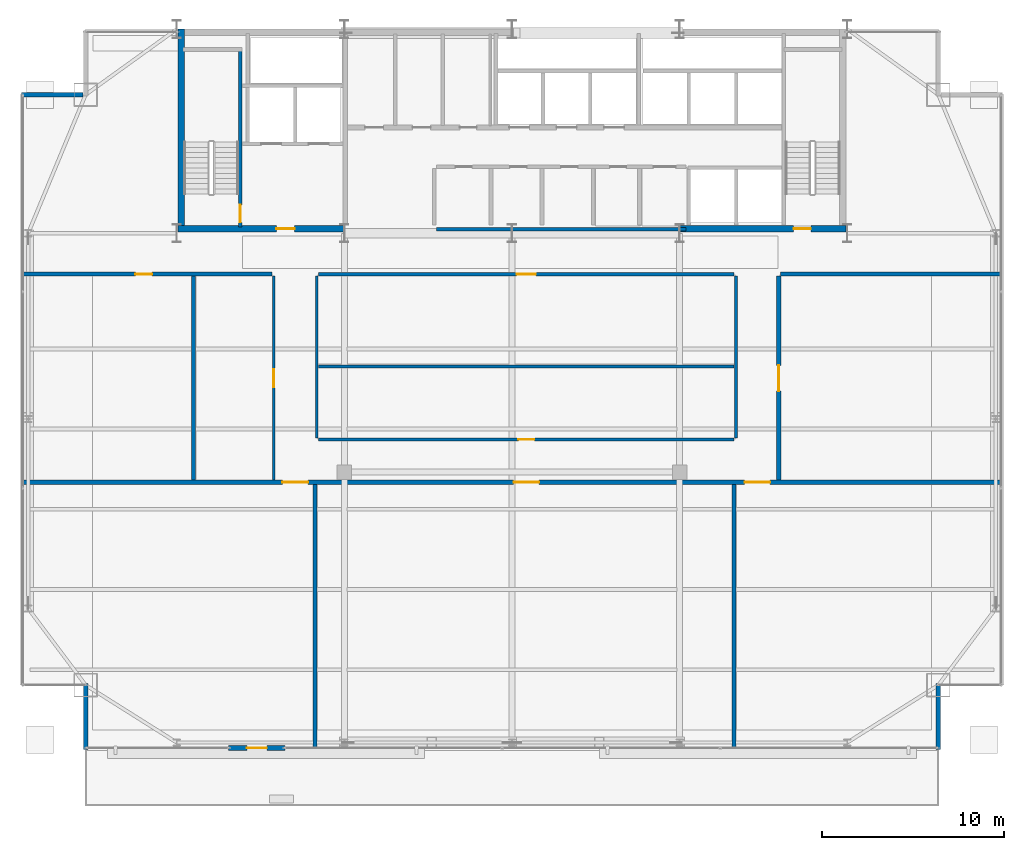
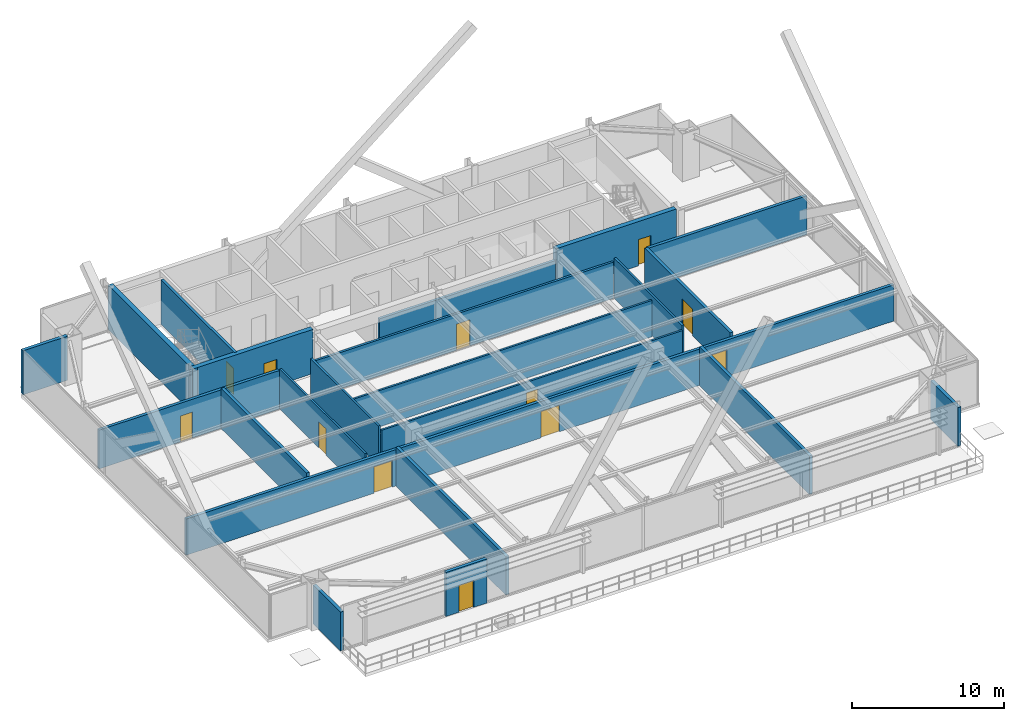
# One storey, part 29 of 33: 22 walls, 12 doors, 12 openings.
"""IFC4 building model written with IfcOpenShell, lengths in metres."""

from ifc_helpers import new_model, si_unit, direction, frame, frame_2d, origin, place, context, subcontext, project, spatial, rectangle, extrude, source, transform, mapped, material, layer, layer_set, type_object, type_shapes, element, fill, save


model = new_model("IFC4")

# Units and contexts
model_context = context("Model", 3, precision=1e-05, world=origin(), true_north=direction((0.0, 1.0)))
body_context = subcontext(model_context, "Body", "Model", "MODEL_VIEW")
ifc_project = project(units=[si_unit("LENGTHUNIT", "METRE"), si_unit("AREAUNIT", "SQUARE_METRE"), si_unit("VOLUMEUNIT", "CUBIC_METRE"), si_unit("PLANEANGLEUNIT", "RADIAN"), si_unit("MASSUNIT", "GRAM", prefix="KILO")], contexts=[model_context])

# Site, building, storey
site_placement = place(None, origin())
site = spatial("IfcSite", under=ifc_project, at=site_placement, CompositionType="ELEMENT")
building_placement = place(site_placement, origin())
building = spatial("IfcBuilding", under=site, at=building_placement, Name="Varnel Quay Broadcast Tower", CompositionType="ELEMENT")
storey_placement = place(building_placement, frame((0.0, 0.0, 145.800048828125)))
storey = spatial("IfcBuildingStorey", under=building, at=storey_placement, Name="L35", CompositionType="ELEMENT", Elevation=145.800048828125)

# Wall, opening, door
ifc_material_1 = material(Name="Concrete CSA A23.3 C50/60", Category="concrete")
ifc_layer_1 = layer(ifc_material_1, 0.199951171875, Name="Concrete CSA A23.3 C50/60")
ifc_layer_set_1 = layer_set([ifc_layer_1], Name="Concrete CSA A23.3 C50/60")
wall_type_1 = type_object("IfcWallType", Name="Wall_CoreShaftShear200", PredefinedType="SHEAR", material=ifc_layer_set_1)
wall_1_placement = place(storey_placement, frame((19.080078125, 35.949951171875, 0.0), z_axis=(0.0, 0.0, 1.0), x_axis=(0.0, 1.0, 0.0)))
wall_1 = element("IfcWall", 1, at=wall_1_placement, inside=storey, type_object=wall_type_1, Name="L35 Stair 1 East Structural Wall", PredefinedType="SHEAR", context=body_context, shape_type="SweptSolid", body=[
    extrude(rectangle(XDim=9.650146484375, YDim=0.199951171875, at=frame_2d((4.8251953125, 0.0))), origin(), (0.0, 0.0, 1.0), 3.550048828125),
])
opening_1_placement = place(wall_1_placement, frame((0.25, 0.0, 0.0)))
opening_1 = element("IfcOpeningElement", 2, at=opening_1_placement, cuts=wall_1, Name="Opening D-L35-S1", PredefinedType="OPENING", context=body_context, shape_type="SweptSolid", body=[
    extrude(rectangle(XDim=0.949951171875, YDim=2.10009765625, at=frame_2d((0.47509765625, 1.050048828125))), frame((0.0, 0.10986328125, 0.0), z_axis=(0.0, -1.0, 0.0), x_axis=(1.0, 0.0, 0.0)), (0.0, 0.0, 1.0), 0.219970703125),
])
ifc_material_2 = material(Name="Insulated Fire-Rated Hollow Steel Door", Category="steel")
door_type_1 = type_object("IfcDoorType", Name="Door_FireStair950", OperationType="NOTDEFINED", PredefinedType="DOOR", material=ifc_material_2)
shared_shape_1 = source(origin(), body_context, "Body", "SweptSolid", [
    extrude(rectangle(XDim=0.949951171875, YDim=2.10009765625, at=frame_2d((0.47509765625, 1.050048828125))), frame((0.0, 0.02490234375, 0.0), z_axis=(0.0, -1.0, 0.0), x_axis=(1.0, 0.0, 0.0)), (0.0, 0.0, 1.0), 0.050048828125),
])
type_shapes(door_type_1, [shared_shape_1])
door_1_placement = place(opening_1_placement, origin())
door_1 = element("IfcDoor", 3, at=door_1_placement, inside=storey, type_object=door_type_1, Name="L35 Stair 1 Fire Door", OperationType="SINGLE_SWING_RIGHT", OverallHeight=2.10009765625, OverallWidth=0.949951171875, PredefinedType="DOOR", context=body_context, shape_type="MappedRepresentation", body=[
    mapped(shared_shape_1, transform((0.0, 0.0, 0.0), x_axis=(1.0, 0.0, 0.0), y_axis=(0.0, 1.0, 0.0), z_axis=(0.0, 0.0, 1.0), scale=1.0)),
])
fill(opening_1, door_1)

# Wall
ifc_layer_2 = layer(ifc_material_1, 0.35009765625, Name="Concrete CSA A23.3 C50/60")
ifc_layer_set_2 = layer_set([ifc_layer_2], Name="Concrete CSA A23.3 C50/60")
wall_type_2 = type_object("IfcWallType", Name="Wall_CoreShearInt350", PredefinedType="SHEAR", material=ifc_layer_set_2)
wall_2_placement = place(storey_placement, frame((15.844970703125, 35.669921875, 0.0), z_axis=(0.0, 0.0, 1.0), x_axis=(0.0, 1.0, 0.0)))
element("IfcWall", 4, at=wall_2_placement, inside=storey, type_object=wall_type_2, Name="L35 West Core Shear Wall", PredefinedType="SHEAR", context=body_context, shape_type="SweptSolid", body=[
    extrude(rectangle(XDim=11.130126953125, YDim=0.35009765625, at=frame_2d((5.56494140625, 0.0))), origin(), (0.0, 0.0, 1.0), 3.550048828125),
])

# Wall, opening, door
wall_3_placement = place(storey_placement, frame((15.669921875, 35.844970703125, 0.0), z_axis=(0.0, 0.0, 1.0), x_axis=(1.0, 0.0, 0.0)))
wall_3 = element("IfcWall", 5, at=wall_3_placement, inside=storey, type_object=wall_type_2, Name="L35 South-West Core Shear Wall", PredefinedType="SHEAR", context=body_context, shape_type="SweptSolid", body=[
    extrude(rectangle(XDim=9.130126953125, YDim=0.35009765625, at=frame_2d((4.56494140625, 0.0))), origin(), (0.0, 0.0, 1.0), 3.550048828125),
])
opening_2_placement = place(wall_3_placement, frame((5.39990234375, 0.0, 0.0)))
opening_2 = element("IfcOpeningElement", 6, at=opening_2_placement, cuts=wall_3, Name="Opening D-L35-FFL", PredefinedType="OPENING", context=body_context, shape_type="SweptSolid", body=[
    extrude(rectangle(XDim=1.0, YDim=2.10009765625, at=frame_2d((0.5, 1.050048828125))), frame((0.0, 0.18505859375, 0.0), z_axis=(0.0, -1.0, 0.0), x_axis=(1.0, 0.0, 0.0)), (0.0, 0.0, 1.0), 0.3701171875),
])
door_type_2 = type_object("IfcDoorType", Name="Door_FireLobby1000", OperationType="NOTDEFINED", PredefinedType="DOOR", material=ifc_material_2)
shared_shape_2 = source(origin(), body_context, "Body", "SweptSolid", [
    extrude(rectangle(XDim=1.0, YDim=2.10009765625, at=frame_2d((0.5, 1.050048828125))), frame((0.0, 0.02490234375, 0.0), z_axis=(0.0, -1.0, 0.0), x_axis=(1.0, 0.0, 0.0)), (0.0, 0.0, 1.0), 0.050048828125),
])
type_shapes(door_type_2, [shared_shape_2])
door_2_placement = place(opening_2_placement, origin())
door_2 = element("IfcDoor", 7, at=door_2_placement, inside=storey, type_object=door_type_2, Name="L35 Firefighting Lobby Door", OperationType="SINGLE_SWING_LEFT", OverallHeight=2.10009765625, OverallWidth=1.0, PredefinedType="DOOR", context=body_context, shape_type="MappedRepresentation", body=[
    mapped(shared_shape_2, transform((0.0, 0.0, 0.0), x_axis=(1.0, 0.0, 0.0), y_axis=(0.0, 1.0, 0.0), z_axis=(0.0, 0.0, 1.0), scale=1.0)),
])
fill(opening_2, door_2)

wall_4_placement = place(storey_placement, frame((43.199951171875, 35.844970703125, 0.0), z_axis=(0.0, 0.0, 1.0), x_axis=(1.0, 0.0, 0.0)))
wall_4 = element("IfcWall", 8, at=wall_4_placement, inside=storey, type_object=wall_type_2, Name="L35 South-East Core Shear Wall", PredefinedType="SHEAR", context=body_context, shape_type="SweptSolid", body=[
    extrude(rectangle(XDim=9.130126953125, YDim=0.35009765625, at=frame_2d((4.56494140625, 0.0))), origin(), (0.0, 0.0, 1.0), 3.550048828125),
])
opening_3_placement = place(wall_4_placement, frame((6.25, 0.0, 0.0)))
opening_3 = element("IfcOpeningElement", 9, at=opening_3_placement, cuts=wall_4, Name="Opening D-L35-S2", PredefinedType="OPENING", context=body_context, shape_type="SweptSolid", body=[
    extrude(rectangle(XDim=0.949951171875, YDim=2.10009765625, at=frame_2d((0.47509765625, 1.050048828125))), frame((0.0, 0.18505859375, 0.0), z_axis=(0.0, -1.0, 0.0), x_axis=(1.0, 0.0, 0.0)), (0.0, 0.0, 1.0), 0.3701171875),
])
door_3_placement = place(opening_3_placement, origin())
door_3 = element("IfcDoor", 10, at=door_3_placement, inside=storey, type_object=door_type_1, Name="L35 Stair 2 Fire Door", OperationType="SINGLE_SWING_RIGHT", OverallHeight=2.10009765625, OverallWidth=0.949951171875, PredefinedType="DOOR", context=body_context, shape_type="MappedRepresentation", body=[
    mapped(shared_shape_1, transform((0.0, 0.0, 0.0), x_axis=(1.0, 0.0, 0.0), y_axis=(0.0, 1.0, 0.0), z_axis=(0.0, 0.0, 1.0), scale=1.0)),
])
fill(opening_3, door_3)

ifc_material_3 = material(Name="Precast Architectural Concrete C40/50", Category="concrete")
ifc_layer_3 = layer(ifc_material_3, 0.25, Name="Precast Architectural Concrete C40/50")
ifc_layer_set_3 = layer_set([ifc_layer_3], Name="Precast Architectural Concrete C40/50")
wall_type_3 = type_object("IfcWallType", Name="Wall_ExtTerrace250", PredefinedType="SOLIDWALL", material=ifc_layer_set_3)
wall_5_placement = place(storey_placement, frame((18.449951171875, 7.35009765625, 0.0), z_axis=(0.0, 0.0, 1.0), x_axis=(1.0, 0.0, 0.0)))
wall_5 = element("IfcWall", 11, at=wall_5_placement, inside=storey, type_object=wall_type_3, Name="L35 Terrace Access Wall 1", PredefinedType="SOLIDWALL", context=body_context, shape_type="SweptSolid", body=[
    extrude(rectangle(XDim=3.10009765625, YDim=0.25, at=frame_2d((1.550048828125, 0.0))), origin(), (0.0, 0.0, 1.0), 3.530029296875),
])
opening_4_placement = place(wall_5_placement, frame((1.0, 0.0, 0.0)))
opening_4 = element("IfcOpeningElement", 12, at=opening_4_placement, cuts=wall_5, Name="Opening TD-351", PredefinedType="OPENING", context=body_context, shape_type="SweptSolid", body=[
    extrude(rectangle(XDim=1.10009765625, YDim=2.14990234375, at=frame_2d((0.550048828125, 1.074951171875))), frame((0.0, 0.135009765625, 0.0), z_axis=(0.0, -1.0, 0.0), x_axis=(1.0, 0.0, 0.0)), (0.0, 0.0, 1.0), 0.27001953125),
])
ifc_material_4 = material(Name="Anodised Bronze Aluminium 6063-T6", Category="aluminium")
door_type_3 = type_object("IfcDoorType", Name="Door_ExtTerrace1100", OperationType="NOTDEFINED", PredefinedType="DOOR", material=ifc_material_4)
shared_shape_3 = source(origin(), body_context, "Body", "SweptSolid", [
    extrude(rectangle(XDim=1.10009765625, YDim=2.14990234375, at=frame_2d((0.550048828125, 1.074951171875))), frame((0.0, 0.02490234375, 0.0), z_axis=(0.0, -1.0, 0.0), x_axis=(1.0, 0.0, 0.0)), (0.0, 0.0, 1.0), 0.050048828125),
])
type_shapes(door_type_3, [shared_shape_3])
door_4_placement = place(opening_4_placement, frame((1.10009765625, 0.0, 0.0), z_axis=(0.0, 0.0, 1.0), x_axis=(-1.0, 0.0, 0.0)))
door_4 = element("IfcDoor", 13, at=door_4_placement, inside=storey, type_object=door_type_3, Name="L35 Terrace Door TD-351", OperationType="SINGLE_SWING_LEFT", OverallHeight=2.14990234375, OverallWidth=1.10009765625, PredefinedType="DOOR", context=body_context, shape_type="MappedRepresentation", body=[
    mapped(shared_shape_3, transform((0.0, 0.0, 0.0), x_axis=(1.0, 0.0, 0.0), y_axis=(0.0, 1.0, 0.0), z_axis=(0.0, 0.0, 1.0), scale=1.0)),
])
fill(opening_4, door_4)

# Walls
for number, where, z_axis, x_axis, name in (
    (14, (10.60009765625, 7.280029296875, 0.0), (0.0, 0.0, 1.0), (0.0, 1.0, 0.0), "L35 Mega-Column Notch Cladding Wall NSW2"),
    (15, (57.39990234375, 7.280029296875, 0.0), (0.0, 0.0, 1.0), (0.0, 1.0, 0.0), "L35 Mega-Column Notch Cladding Wall NSE2"),
):
    element("IfcWall", number, at=place(storey_placement, frame(where, z_axis=z_axis, x_axis=x_axis)), inside=storey, type_object=wall_type_3, Name=name, PredefinedType="SOLIDWALL", context=body_context, shape_type="SweptSolid", body=[
        extrude(rectangle(XDim=3.599853515625, YDim=0.25, at=frame_2d((1.7998046875, 0.0))), origin(), (0.0, 0.0, 1.0), 3.10791015625),
    ])
wall_6_placement = place(storey_placement, frame((7.080078125, 43.199951171875, 0.0), z_axis=(0.0, 0.0, 1.0), x_axis=(1.0, 0.0, 0.0)))
element("IfcWall", 16, at=wall_6_placement, inside=storey, type_object=wall_type_3, Name="L35 Mega-Column Notch Cladding Wall NNW1", PredefinedType="SOLIDWALL", context=body_context, shape_type="SweptSolid", body=[
    extrude(rectangle(XDim=3.389892578125, YDim=0.25, at=frame_2d((1.69482421875, 0.0))), origin(), (0.0, 0.0, 1.0), 3.530029296875),
])
ifc_material_5 = material(Name="Concrete Blockwork Fire Enclosure C40/50", Category="masonry")
ifc_layer_4 = layer(ifc_material_5, 0.199951171875, Name="Concrete Blockwork Fire Enclosure C40/50")
ifc_layer_set_4 = layer_set([ifc_layer_4], Name="Concrete Blockwork Fire Enclosure C40/50")
wall_type_4 = type_object("IfcWallType", Name="Wall_FireShaft200", PredefinedType="SOLIDWALL", material=ifc_layer_set_4)
wall_7_placement = place(storey_placement, frame((29.85009765625, 35.824951171875, 0.0), z_axis=(0.0, 0.0, 1.0), x_axis=(1.0, 0.0, 0.0)))
element("IfcWall", 17, at=wall_7_placement, inside=storey, type_object=wall_type_4, Name="L35 Accessible Washroom Partition 1", PredefinedType="SOLIDWALL", context=body_context, shape_type="SweptSolid", body=[
    extrude(rectangle(XDim=13.699951171875, YDim=0.199951171875, at=frame_2d((6.85009765625, 0.0))), origin(), (0.0, 0.0, 1.0), 2.574951171875),
])

# Wall, opening, door
ifc_material_6 = material(Name="Steel-Stud Fire-Rated Acoustic Gypsum Partition Assembly", Category="steel")
ifc_layer_5 = layer(ifc_material_6, 0.139892578125, Name="Steel-Stud Fire-Rated Acoustic Gypsum Partition Assembly")
ifc_layer_set_5 = layer_set([ifc_layer_5], Name="Steel-Stud Fire-Rated Acoustic Gypsum Partition Assembly")
wall_type_5 = type_object("IfcWallType", Name="Wall_Partition140", PredefinedType="PARTITIONING", material=ifc_layer_set_5)
wall_8_placement = place(storey_placement, frame((20.929931640625, 22.04296875, 0.0), z_axis=(0.0, 0.0, 1.0), x_axis=(0.0, 1.0, 0.0)))
wall_8 = element("IfcWall", 18, at=wall_8_placement, inside=storey, type_object=wall_type_5, Name="L35 Talent Lounge 5 Partition 13", PredefinedType="PARTITIONING", context=body_context, shape_type="SweptSolid", body=[
    extrude(rectangle(XDim=11.195068359375, YDim=0.139892578125, at=frame_2d((5.59765625, 0.0))), origin(), (0.0, 0.0, 1.0), 3.221923828125),
])
opening_5_placement = place(wall_8_placement, frame((5.097900390625, 0.0, 0.0)))
opening_5 = element("IfcOpeningElement", 19, at=opening_5_placement, cuts=wall_8, Name="Opening D-L35-10", PredefinedType="OPENING", context=body_context, shape_type="SweptSolid", body=[
    extrude(rectangle(XDim=1.0, YDim=2.10009765625, at=frame_2d((0.5, 1.050048828125))), frame((0.0, 0.080078125, 0.0), z_axis=(0.0, -1.0, 0.0), x_axis=(1.0, 0.0, 0.0)), (0.0, 0.0, 1.0), 0.159912109375),
])
ifc_material_7 = material(Name="Solid-Core Fire-Rated Acoustic Oak Veneer Door", Category="wood")
door_type_4 = type_object("IfcDoorType", Name="Door_Exec1000", OperationType="NOTDEFINED", PredefinedType="DOOR", material=ifc_material_7)
shared_shape_4 = source(origin(), body_context, "Body", "SweptSolid", [
    extrude(rectangle(XDim=1.0, YDim=2.10009765625, at=frame_2d((0.5, 1.050048828125))), frame((0.0, 0.02490234375, 0.0), z_axis=(0.0, -1.0, 0.0), x_axis=(1.0, 0.0, 0.0)), (0.0, 0.0, 1.0), 0.050048828125),
])
type_shapes(door_type_4, [shared_shape_4])
door_5_placement = place(opening_5_placement, origin())
door_5 = element("IfcDoor", 20, at=door_5_placement, inside=storey, type_object=door_type_4, Name="L35 Talent Lounge 5 Door D-L35-10", OperationType="SINGLE_SWING_RIGHT", OverallHeight=2.10009765625, OverallWidth=1.0, PredefinedType="DOOR", context=body_context, shape_type="MappedRepresentation", body=[
    mapped(shared_shape_4, transform((0.0, 0.0, 0.0), x_axis=(1.0, 0.0, 0.0), y_axis=(0.0, 1.0, 0.0), z_axis=(0.0, 0.0, 1.0), scale=1.0)),
])
fill(opening_5, door_5)

ifc_layer_6 = layer(ifc_material_6, 0.14990234375, Name="Steel-Stud Fire-Rated Acoustic Gypsum Partition Assembly")
ifc_layer_set_6 = layer_set([ifc_layer_6], Name="Steel-Stud Fire-Rated Acoustic Gypsum Partition Assembly")
wall_type_6 = type_object("IfcWallType", Name="Wall_Partition150", PredefinedType="PARTITIONING", material=ifc_layer_set_6)
wall_9_placement = place(storey_placement, frame((23.3798828125, 24.280029296875, 0.0), z_axis=(0.0, 0.0, 1.0), x_axis=(1.0, 0.0, 0.0)))
wall_9 = element("IfcWall", 21, at=wall_9_placement, inside=storey, type_object=wall_type_6, Name="L35 Pantry Niche 6 Partition 14", PredefinedType="PARTITIONING", context=body_context, shape_type="SweptSolid", body=[
    extrude(rectangle(XDim=22.81005859375, YDim=0.14990234375, at=frame_2d((11.405029296875, 0.0))), origin(), (0.0, 0.0, 1.0), 2.908935546875),
])
opening_6_placement = place(wall_9_placement, frame((10.965087890625, 0.0, 0.0)))
opening_6 = element("IfcOpeningElement", 22, at=opening_6_placement, cuts=wall_9, Name="Opening D-L35-11", PredefinedType="OPENING", context=body_context, shape_type="SweptSolid", body=[
    extrude(rectangle(XDim=0.8798828125, YDim=2.06005859375, at=frame_2d((0.43994140625, 1.030029296875))), frame((0.0, 0.0849609375, 0.0), z_axis=(0.0, -1.0, 0.0), x_axis=(1.0, 0.0, 0.0)), (0.0, 0.0, 1.0), 0.169921875),
])
door_type_5 = type_object("IfcDoorType", Name="Door_Booth880", OperationType="NOTDEFINED", PredefinedType="DOOR", material=ifc_material_7)
shared_shape_5 = source(origin(), body_context, "Body", "SweptSolid", [
    extrude(rectangle(XDim=0.8798828125, YDim=2.06005859375, at=frame_2d((0.43994140625, 1.030029296875))), frame((0.0, 0.02490234375, 0.0), z_axis=(0.0, -1.0, 0.0), x_axis=(1.0, 0.0, 0.0)), (0.0, 0.0, 1.0), 0.050048828125),
])
type_shapes(door_type_5, [shared_shape_5])
door_6_placement = place(opening_6_placement, origin())
door_6 = element("IfcDoor", 23, at=door_6_placement, inside=storey, type_object=door_type_5, Name="L35 Pantry Niche 6 Door D-L35-11", OperationType="SINGLE_SWING_LEFT", OverallHeight=2.06005859375, OverallWidth=0.8798828125, PredefinedType="DOOR", context=body_context, shape_type="MappedRepresentation", body=[
    mapped(shared_shape_5, transform((0.0, 0.0, 0.0), x_axis=(1.0, 0.0, 0.0), y_axis=(0.0, 1.0, 0.0), z_axis=(0.0, 0.0, 1.0), scale=1.0)),
])
fill(opening_6, door_6)

# Walls
wall_10_placement = place(storey_placement, frame((46.2900390625, 24.35498046875, 0.0), z_axis=(0.0, 0.0, 1.0), x_axis=(0.0, 1.0, 0.0)))
element("IfcWall", 24, at=wall_10_placement, inside=storey, type_object=wall_type_6, Name="L35 Pantry Niche 6 Partition 15", PredefinedType="PARTITIONING", context=body_context, shape_type="SweptSolid", body=[
    extrude(rectangle(XDim=8.907958984375, YDim=0.14990234375, at=frame_2d((4.4541015625, 0.0))), origin(), (0.0, 0.0, 1.0), 3.221923828125),
])
wall_11_placement = place(storey_placement, frame((23.3798828125, 28.280029296875, 0.0), z_axis=(0.0, 0.0, 1.0), x_axis=(1.0, 0.0, 0.0)))
element("IfcWall", 25, at=wall_11_placement, inside=storey, type_object=wall_type_6, Name="L35 Pantry Niche 6 Partition 16", PredefinedType="PARTITIONING", context=body_context, shape_type="SweptSolid", body=[
    extrude(rectangle(XDim=22.81005859375, YDim=0.14990234375, at=frame_2d((11.405029296875, 0.0))), origin(), (0.0, 0.0, 1.0), 2.908935546875),
])
wall_12_placement = place(storey_placement, frame((23.280029296875, 24.35498046875, 0.0), z_axis=(0.0, 0.0, 1.0), x_axis=(0.0, 1.0, 0.0)))
element("IfcWall", 26, at=wall_12_placement, inside=storey, type_object=wall_type_6, Name="L35 Pantry Niche 6 Partition 17", PredefinedType="PARTITIONING", context=body_context, shape_type="SweptSolid", body=[
    extrude(rectangle(XDim=8.907958984375, YDim=0.14990234375, at=frame_2d((4.4541015625, 0.0))), origin(), (0.0, 0.0, 1.0), 3.221923828125),
])

# Wall, opening, door
ifc_layer_7 = layer(ifc_material_6, 0.175048828125, Name="Steel-Stud Fire-Rated Acoustic Gypsum Partition Assembly")
ifc_layer_set_7 = layer_set([ifc_layer_7], Name="Steel-Stud Fire-Rated Acoustic Gypsum Partition Assembly")
wall_type_7 = type_object("IfcWallType", Name="Wall_Partition175", PredefinedType="PARTITIONING", material=ifc_layer_set_7)
wall_13_placement = place(storey_placement, frame((23.3798828125, 33.35009765625, 0.0), z_axis=(0.0, 0.0, 1.0), x_axis=(1.0, 0.0, 0.0)))
wall_13 = element("IfcWall", 27, at=wall_13_placement, inside=storey, type_object=wall_type_7, Name="L35 Broadcast Seminar Room 7 Partition 18", PredefinedType="PARTITIONING", context=body_context, shape_type="SweptSolid", body=[
    extrude(rectangle(XDim=22.81005859375, YDim=0.175048828125, at=frame_2d((11.405029296875, 0.0))), origin(), (0.0, 0.0, 1.0), 2.908935546875),
])
opening_7_placement = place(wall_13_placement, frame((10.8798828125, 0.0, 0.0)))
opening_7 = element("IfcOpeningElement", 28, at=opening_7_placement, cuts=wall_13, Name="Opening D-L35-12", PredefinedType="OPENING", context=body_context, shape_type="SweptSolid", body=[
    extrude(rectangle(XDim=1.050048828125, YDim=2.10009765625, at=frame_2d((0.52490234375, 1.050048828125))), frame((0.0, 0.09765625, 0.0), z_axis=(0.0, -1.0, 0.0), x_axis=(1.0, 0.0, 0.0)), (0.0, 0.0, 1.0), 0.195068359375),
])
door_type_6 = type_object("IfcDoorType", Name="Door_Meeting1050", OperationType="NOTDEFINED", PredefinedType="DOOR", material=ifc_material_7)
shared_shape_6 = source(origin(), body_context, "Body", "SweptSolid", [
    extrude(rectangle(XDim=1.050048828125, YDim=2.10009765625, at=frame_2d((0.52490234375, 1.050048828125))), frame((0.0, 0.02490234375, 0.0), z_axis=(0.0, -1.0, 0.0), x_axis=(1.0, 0.0, 0.0)), (0.0, 0.0, 1.0), 0.050048828125),
])
type_shapes(door_type_6, [shared_shape_6])
door_7_placement = place(opening_7_placement, frame((1.050048828125, 0.0, 0.0), z_axis=(0.0, 0.0, 1.0), x_axis=(-1.0, 0.0, 0.0)))
door_7 = element("IfcDoor", 29, at=door_7_placement, inside=storey, type_object=door_type_6, Name="L35 Broadcast Seminar Room 7 Door D-L35-12", OperationType="SINGLE_SWING_RIGHT", OverallHeight=2.10009765625, OverallWidth=1.050048828125, PredefinedType="DOOR", context=body_context, shape_type="MappedRepresentation", body=[
    mapped(shared_shape_6, transform((0.0, 0.0, 0.0), x_axis=(1.0, 0.0, 0.0), y_axis=(0.0, 1.0, 0.0), z_axis=(0.0, 0.0, 1.0), scale=1.0)),
])
fill(opening_7, door_7)

# Wall
ifc_layer_8 = layer(ifc_material_6, 0.22509765625, Name="Steel-Stud Fire-Rated Acoustic Gypsum Partition Assembly")
ifc_layer_set_8 = layer_set([ifc_layer_8], Name="Steel-Stud Fire-Rated Acoustic Gypsum Partition Assembly")
wall_type_8 = type_object("IfcWallType", Name="Wall_Partition225", PredefinedType="PARTITIONING", material=ifc_layer_set_8)
wall_14_placement = place(storey_placement, frame((23.179931640625, 7.3798828125, 0.0), z_axis=(0.0, 0.0, 1.0), x_axis=(0.0, 1.0, 0.0)))
element("IfcWall", 30, at=wall_14_placement, inside=storey, type_object=wall_type_8, Name="L35 Podcast Recording Studio 1 Partition 8", PredefinedType="PARTITIONING", context=body_context, shape_type="SweptSolid", body=[
    extrude(rectangle(XDim=14.43701171875, YDim=0.22509765625, at=frame_2d((7.218505859375, 0.0))), origin(), (0.0, 0.0, 1.0), 3.10791015625),
])

# Wall, openings, doors
wall_15_placement = place(storey_placement, frame((7.179931640625, 21.929931640625, 0.0), z_axis=(0.0, 0.0, 1.0), x_axis=(1.0, 0.0, 0.0)))
wall_15 = element("IfcWall", 31, at=wall_15_placement, inside=storey, type_object=wall_type_8, Name="L35 Podcast Recording Studio 1 Partition 9", PredefinedType="PARTITIONING", context=body_context, shape_type="SweptSolid", body=[
    extrude(rectangle(XDim=53.64013671875, YDim=0.22509765625, at=frame_2d((26.820068359375, 0.0))), origin(), (0.0, 0.0, 1.0), 2.908935546875),
])
opening_8_placement = place(wall_15_placement, frame((14.22509765625, 0.0, 0.0)))
opening_8 = element("IfcOpeningElement", 32, at=opening_8_placement, cuts=wall_15, Name="Opening D-L35-06", PredefinedType="OPENING", context=body_context, shape_type="SweptSolid", body=[
    extrude(rectangle(XDim=1.39990234375, YDim=2.1201171875, at=frame_2d((0.699951171875, 1.06005859375))), frame((0.0, 0.12255859375, 0.0), z_axis=(0.0, -1.0, 0.0), x_axis=(1.0, 0.0, 0.0)), (0.0, 0.0, 1.0), 0.2451171875),
])
opening_9_placement = place(wall_15_placement, frame((26.905029296875, 0.0, 0.0)))
opening_9 = element("IfcOpeningElement", 33, at=opening_9_placement, cuts=wall_15, Name="Opening D-L35-07", PredefinedType="OPENING", context=body_context, shape_type="SweptSolid", body=[
    extrude(rectangle(XDim=1.39990234375, YDim=2.1201171875, at=frame_2d((0.699951171875, 1.06005859375))), frame((0.0, 0.12255859375, 0.0), z_axis=(0.0, -1.0, 0.0), x_axis=(1.0, 0.0, 0.0)), (0.0, 0.0, 1.0), 0.2451171875),
])
opening_10_placement = place(wall_15_placement, frame((39.5849609375, 0.0, 0.0)))
opening_10 = element("IfcOpeningElement", 34, at=opening_10_placement, cuts=wall_15, Name="Opening D-L35-08", PredefinedType="OPENING", context=body_context, shape_type="SweptSolid", body=[
    extrude(rectangle(XDim=1.39990234375, YDim=2.1201171875, at=frame_2d((0.699951171875, 1.06005859375))), frame((0.0, 0.12255859375, 0.0), z_axis=(0.0, -1.0, 0.0), x_axis=(1.0, 0.0, 0.0)), (0.0, 0.0, 1.0), 0.2451171875),
])
door_type_7 = type_object("IfcDoorType", Name="Door_Gallery1400", OperationType="DOUBLE_DOOR_SINGLE_SWING", PredefinedType="DOOR", material=ifc_material_7)
shared_shape_7 = source(origin(), body_context, "Body", "SweptSolid", [
    extrude(rectangle(XDim=1.39990234375, YDim=2.1201171875, at=frame_2d((0.699951171875, 1.06005859375))), frame((0.0, 0.02490234375, 0.0), z_axis=(0.0, -1.0, 0.0), x_axis=(1.0, 0.0, 0.0)), (0.0, 0.0, 1.0), 0.050048828125),
])
type_shapes(door_type_7, [shared_shape_7])
door_8_placement = place(opening_8_placement, frame((1.39990234375, 0.0, 0.0), z_axis=(0.0, 0.0, 1.0), x_axis=(-1.0, 0.0, 0.0)))
door_8 = element("IfcDoor", 35, at=door_8_placement, inside=storey, type_object=door_type_7, Name="L35 Podcast Recording Studio 1 Door D-L35-06", OperationType="DOUBLE_DOOR_SINGLE_SWING", OverallHeight=2.1201171875, OverallWidth=1.39990234375, PredefinedType="DOOR", context=body_context, shape_type="MappedRepresentation", body=[
    mapped(shared_shape_7, transform((0.0, 0.0, 0.0), x_axis=(1.0, 0.0, 0.0), y_axis=(0.0, 1.0, 0.0), z_axis=(0.0, 0.0, 1.0), scale=1.0)),
])
fill(opening_8, door_8)
door_9_placement = place(opening_9_placement, frame((1.39990234375, 0.0, 0.0), z_axis=(0.0, 0.0, 1.0), x_axis=(-1.0, 0.0, 0.0)))
door_9 = element("IfcDoor", 36, at=door_9_placement, inside=storey, type_object=door_type_7, Name="L35 Foley Sound Studio 2 Door D-L35-07", OperationType="DOUBLE_DOOR_SINGLE_SWING", OverallHeight=2.1201171875, OverallWidth=1.39990234375, PredefinedType="DOOR", context=body_context, shape_type="MappedRepresentation", body=[
    mapped(shared_shape_7, transform((0.0, 0.0, 0.0), x_axis=(1.0, 0.0, 0.0), y_axis=(0.0, 1.0, 0.0), z_axis=(0.0, 0.0, 1.0), scale=1.0)),
])
fill(opening_9, door_9)
door_10_placement = place(opening_10_placement, frame((1.39990234375, 0.0, 0.0), z_axis=(0.0, 0.0, 1.0), x_axis=(-1.0, 0.0, 0.0)))
door_10 = element("IfcDoor", 37, at=door_10_placement, inside=storey, type_object=door_type_7, Name="L35 Voice Booth 3 Door D-L35-08", OperationType="DOUBLE_DOOR_SINGLE_SWING", OverallHeight=2.1201171875, OverallWidth=1.39990234375, PredefinedType="DOOR", context=body_context, shape_type="MappedRepresentation", body=[
    mapped(shared_shape_7, transform((0.0, 0.0, 0.0), x_axis=(1.0, 0.0, 0.0), y_axis=(0.0, 1.0, 0.0), z_axis=(0.0, 0.0, 1.0), scale=1.0)),
])
fill(opening_10, door_10)

# Walls
wall_16_placement = place(storey_placement, frame((46.18994140625, 7.3798828125, 0.0), z_axis=(0.0, 0.0, 1.0), x_axis=(0.0, 1.0, 0.0)))
element("IfcWall", 38, at=wall_16_placement, inside=storey, type_object=wall_type_8, Name="L35 Foley Sound Studio 2 Partition 10", PredefinedType="PARTITIONING", context=body_context, shape_type="SweptSolid", body=[
    extrude(rectangle(XDim=14.43701171875, YDim=0.22509765625, at=frame_2d((7.218505859375, 0.0))), origin(), (0.0, 0.0, 1.0), 3.10791015625),
])
wall_17_placement = place(storey_placement, frame((16.530029296875, 22.04296875, 0.0), z_axis=(0.0, 0.0, 1.0), x_axis=(0.0, 1.0, 0.0)))
element("IfcWall", 39, at=wall_17_placement, inside=storey, type_object=wall_type_8, Name="L35 Audio Control Room 4 Partition 11", PredefinedType="PARTITIONING", context=body_context, shape_type="SweptSolid", body=[
    extrude(rectangle(XDim=11.195068359375, YDim=0.22509765625, at=frame_2d((5.59765625, 0.0))), origin(), (0.0, 0.0, 1.0), 3.221923828125),
])

# Wall, opening, door
wall_18_placement = place(storey_placement, frame((7.179931640625, 33.35009765625, 0.0), z_axis=(0.0, 0.0, 1.0), x_axis=(1.0, 0.0, 0.0)))
wall_18 = element("IfcWall", 40, at=wall_18_placement, inside=storey, type_object=wall_type_8, Name="L35 Audio Control Room 4 Partition 12", PredefinedType="PARTITIONING", context=body_context, shape_type="SweptSolid", body=[
    extrude(rectangle(XDim=13.650146484375, YDim=0.22509765625, at=frame_2d((6.8251953125, 0.0))), origin(), (0.0, 0.0, 1.0), 3.10791015625),
])
opening_11_placement = place(wall_18_placement, frame((6.14990234375, 0.0, 0.0)))
opening_11 = element("IfcOpeningElement", 41, at=opening_11_placement, cuts=wall_18, Name="Opening D-L35-09", PredefinedType="OPENING", context=body_context, shape_type="SweptSolid", body=[
    extrude(rectangle(XDim=0.919921875, YDim=2.080078125, at=frame_2d((0.4599609375, 1.0400390625))), frame((0.0, 0.12255859375, 0.0), z_axis=(0.0, -1.0, 0.0), x_axis=(1.0, 0.0, 0.0)), (0.0, 0.0, 1.0), 0.2451171875),
])
door_type_8 = type_object("IfcDoorType", Name="Door_Office920", OperationType="NOTDEFINED", PredefinedType="DOOR", material=ifc_material_7)
shared_shape_8 = source(origin(), body_context, "Body", "SweptSolid", [
    extrude(rectangle(XDim=0.919921875, YDim=2.080078125, at=frame_2d((0.4599609375, 1.0400390625))), frame((0.0, 0.02490234375, 0.0), z_axis=(0.0, -1.0, 0.0), x_axis=(1.0, 0.0, 0.0)), (0.0, 0.0, 1.0), 0.050048828125),
])
type_shapes(door_type_8, [shared_shape_8])
door_11_placement = place(opening_11_placement, frame((0.919921875, 0.0, 0.0), z_axis=(0.0, 0.0, 1.0), x_axis=(-1.0, 0.0, 0.0)))
door_11 = element("IfcDoor", 42, at=door_11_placement, inside=storey, type_object=door_type_8, Name="L35 Audio Control Room 4 Door D-L35-09", OperationType="SINGLE_SWING_LEFT", OverallHeight=2.080078125, OverallWidth=0.919921875, PredefinedType="DOOR", context=body_context, shape_type="MappedRepresentation", body=[
    mapped(shared_shape_8, transform((0.0, 0.0, 0.0), x_axis=(1.0, 0.0, 0.0), y_axis=(0.0, 1.0, 0.0), z_axis=(0.0, 0.0, 1.0), scale=1.0)),
])
fill(opening_11, door_11)

# Wall
wall_19_placement = place(storey_placement, frame((48.739990234375, 33.35009765625, 0.0), z_axis=(0.0, 0.0, 1.0), x_axis=(1.0, 0.0, 0.0)))
element("IfcWall", 43, at=wall_19_placement, inside=storey, type_object=wall_type_8, Name="L35 Podcast Recording Studio 8 Partition 19", PredefinedType="PARTITIONING", context=body_context, shape_type="SweptSolid", body=[
    extrude(rectangle(XDim=12.080078125, YDim=0.22509765625, at=frame_2d((6.0400390625, 0.0))), origin(), (0.0, 0.0, 1.0), 3.10791015625),
])

# Wall, opening, door
wall_20_placement = place(storey_placement, frame((48.639892578125, 22.04296875, 0.0), z_axis=(0.0, 0.0, 1.0), x_axis=(0.0, 1.0, 0.0)))
wall_20 = element("IfcWall", 44, at=wall_20_placement, inside=storey, type_object=wall_type_8, Name="L35 Podcast Recording Studio 8 Partition 20", PredefinedType="PARTITIONING", context=body_context, shape_type="SweptSolid", body=[
    extrude(rectangle(XDim=11.195068359375, YDim=0.22509765625, at=frame_2d((5.59765625, 0.0))), origin(), (0.0, 0.0, 1.0), 3.221923828125),
])
opening_12_placement = place(wall_20_placement, frame((4.89697265625, 0.0, 0.0)))
opening_12 = element("IfcOpeningElement", 45, at=opening_12_placement, cuts=wall_20, Name="Opening D-L35-13", PredefinedType="OPENING", context=body_context, shape_type="SweptSolid", body=[
    extrude(rectangle(XDim=1.39990234375, YDim=2.1201171875, at=frame_2d((0.699951171875, 1.06005859375))), frame((0.0, 0.12255859375, 0.0), z_axis=(0.0, -1.0, 0.0), x_axis=(1.0, 0.0, 0.0)), (0.0, 0.0, 1.0), 0.2451171875),
])
door_12_placement = place(opening_12_placement, frame((1.39990234375, 0.0, 0.0), z_axis=(0.0, 0.0, 1.0), x_axis=(-1.0, 0.0, 0.0)))
door_12 = element("IfcDoor", 46, at=door_12_placement, inside=storey, type_object=door_type_7, Name="L35 Podcast Recording Studio 8 Door D-L35-13", OperationType="DOUBLE_DOOR_SINGLE_SWING", OverallHeight=2.1201171875, OverallWidth=1.39990234375, PredefinedType="DOOR", context=body_context, shape_type="MappedRepresentation", body=[
    mapped(shared_shape_7, transform((0.0, 0.0, 0.0), x_axis=(1.0, 0.0, 0.0), y_axis=(0.0, 1.0, 0.0), z_axis=(0.0, 0.0, 1.0), scale=1.0)),
])
fill(opening_12, door_12)

save(model, "model.ifc")
